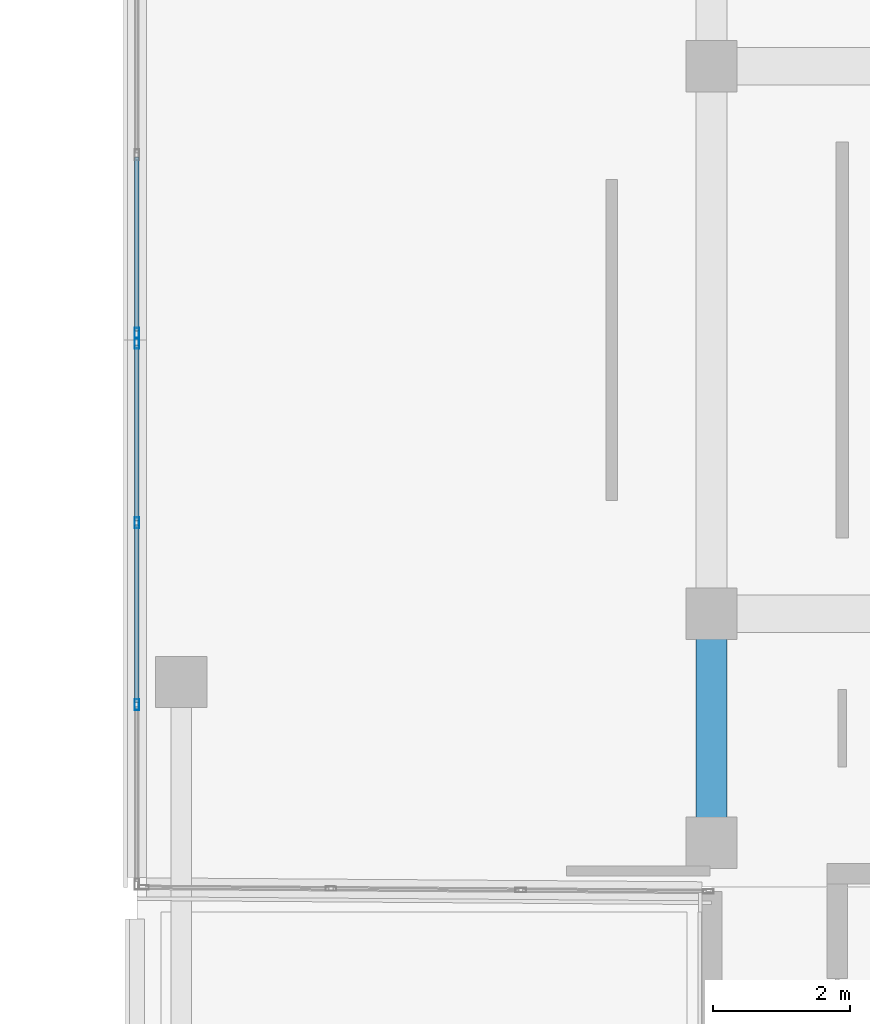
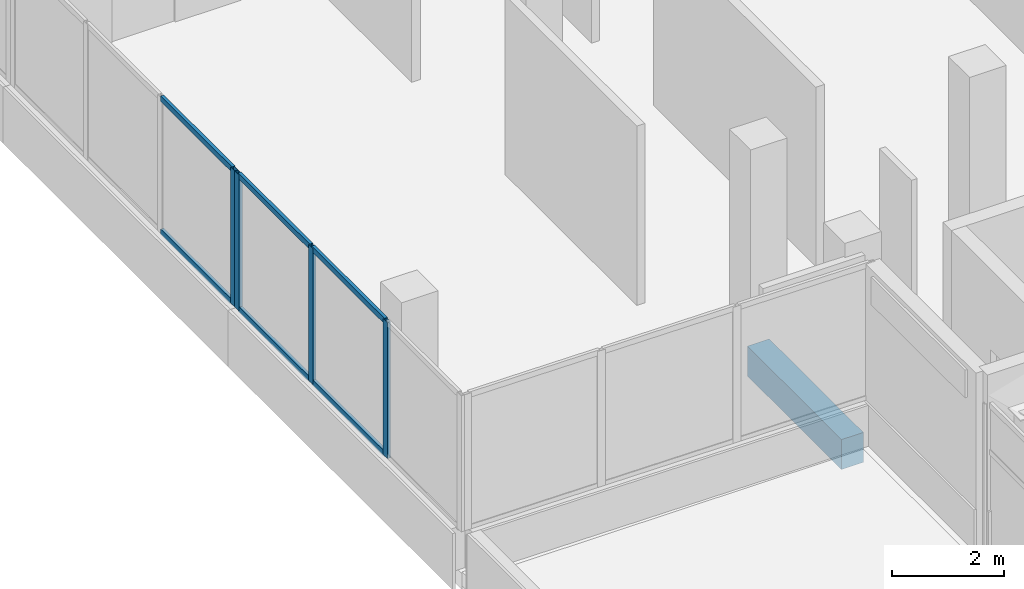
# One storey, part 80 of 184: 10 members, 1 beam, 2 elements without a shape of their own.
"""IFC4 building model written with IfcOpenShell, lengths in metres."""

from ifc_helpers import new_model, si_unit, direction, frame, origin, origin_2d, place, context, subcontext, project, spatial, rectangle, hollow_rectangle, extrude, material, material_profile, profile_set, type_object, element, aggregate, save


model = new_model("IFC4")

# Units and contexts
model_context = context("Model", 3, precision=1e-05, world=origin(), true_north=direction((0.0, 1.0)))
body_context = subcontext(model_context, "Body", "Model", "MODEL_VIEW")
ifc_project = project(units=[si_unit("LENGTHUNIT", "METRE"), si_unit("AREAUNIT", "SQUARE_METRE"), si_unit("VOLUMEUNIT", "CUBIC_METRE"), si_unit("PLANEANGLEUNIT", "RADIAN"), si_unit("MASSUNIT", "GRAM", prefix="KILO")], contexts=[model_context])

# Site, building, storey
site_placement = place(None, origin())
site = spatial("IfcSite", under=ifc_project, at=site_placement, CompositionType="ELEMENT")
building_placement = place(site_placement, origin())
building = spatial("IfcBuilding", under=site, at=building_placement, Name="Selatvlak General Hospital", CompositionType="ELEMENT")
storey_placement = place(building_placement, frame((0.0, 0.0, 15.0)))
storey = spatial("IfcBuildingStorey", under=building, at=storey_placement, Name="L03", CompositionType="ELEMENT", Elevation=15.0)

# Beam
ifc_material_1 = material(Name="Concrete C40/50", Category="concrete")
ifc_material_profile_1 = material_profile(ifc_material_1, rectangle(XDim=0.449951171875, YDim=0.64990234375, at=origin_2d()), Name="RC-BM 450x650")
ifc_profile_set_1 = profile_set([ifc_material_profile_1], Name="Concrete C40/50")
beam_type = type_object("IfcBeamType", Name="BM-G04", PredefinedType="BEAM", material=ifc_profile_set_1)
beam_placement = place(storey_placement, frame((22.800048828125, 88.64990234375, -0.6650390625), z_axis=(0.0, 1.0, 0.0), x_axis=(-1.0, 0.0, 0.0)))
element("IfcBeam", 1, at=beam_placement, inside=storey, type_object=beam_type, Name="Beam BMR-L03-1296", PredefinedType="BEAM", context=body_context, shape_type="SweptSolid", body=[
    extrude(rectangle(XDim=0.449951171875, YDim=0.64990234375, at=origin_2d()), origin(), (0.0, 0.0, 1.0), 3.35009765625),
])

# Curtain wall, members
ifc_material_2 = material(Name="Solar-control Low-E double glazing", Category="glass")
curtain_wall_type_1 = type_object("IfcCurtainWallType", Name="CW-CW-01", PredefinedType="USERDEFINED", material=ifc_material_2)
curtain_wall_1_placement = place(storey_placement, origin())
curtain_wall_1 = element("IfcCurtainWall", 2, at=curtain_wall_1_placement, inside=storey, type_object=curtain_wall_type_1, Name="Glazed facade curtain wall CW-L03-0360", ObjectType="UNITISED CURTAIN WALL", PredefinedType="USERDEFINED")
ifc_material_3 = material(Name="Dark anodised aluminium mullion", Category="aluminium")
ifc_material_profile_2 = material_profile(ifc_material_3, hollow_rectangle(XDim=0.06494140625, YDim=0.159912109375, WallThickness=0.00390625, at=origin_2d()), Name="AL-MUL 65x160x4")
ifc_profile_set_2 = profile_set([ifc_material_profile_2], Name="Dark anodised aluminium mullion")
member_type_1 = type_object("IfcMemberType", Name="CWM-01", PredefinedType="MULLION", material=ifc_profile_set_2)
member_1_placement = place(storey_placement, frame((14.39990234375, 90.671630859375, 0.93994140625), z_axis=(0.0, 0.0, 1.0), x_axis=(-1.0, 0.0, 0.0)))
member_1 = element("IfcMember", 3, at=member_1_placement, type_object=member_type_1, Name="CW-01 mullion 2", PredefinedType="MULLION", context=body_context, shape_type="SweptSolid", body=[
    extrude(hollow_rectangle(XDim=0.06494140625, YDim=0.159912109375, WallThickness=0.00390625, at=origin_2d()), origin(), (0.0, 0.0, 1.0), 2.955078125),
])
member_2_placement = place(storey_placement, frame((14.39990234375, 93.328369140625, 0.93994140625), z_axis=(0.0, 0.0, 1.0), x_axis=(-1.0, 0.0, 0.0)))
member_2 = element("IfcMember", 4, at=member_2_placement, type_object=member_type_1, Name="CW-01 mullion 3", PredefinedType="MULLION", context=body_context, shape_type="SweptSolid", body=[
    extrude(hollow_rectangle(XDim=0.06494140625, YDim=0.159912109375, WallThickness=0.00390625, at=origin_2d()), origin(), (0.0, 0.0, 1.0), 2.955078125),
])
member_3_placement = place(storey_placement, frame((14.39990234375, 95.952392578125, 0.93994140625), z_axis=(0.0, 0.0, 1.0), x_axis=(-1.0, 0.0, 0.0)))
member_3 = element("IfcMember", 5, at=member_3_placement, type_object=member_type_1, Name="CW-01 mullion 4", PredefinedType="MULLION", context=body_context, shape_type="SweptSolid", body=[
    extrude(hollow_rectangle(XDim=0.06494140625, YDim=0.159912109375, WallThickness=0.00390625, at=origin_2d()), origin(), (0.0, 0.0, 1.0), 2.955078125),
])

# Curtain wall, member
curtain_wall_type_2 = type_object("IfcCurtainWallType", Name="CW-CW-02", PredefinedType="USERDEFINED", material=ifc_material_2)
curtain_wall_2_placement = place(storey_placement, origin())
curtain_wall_2 = element("IfcCurtainWall", 6, at=curtain_wall_2_placement, inside=storey, type_object=curtain_wall_type_2, Name="Glazed facade curtain wall CW-L03-0361", ObjectType="UNITISED CURTAIN WALL", PredefinedType="USERDEFINED")
member_4_placement = place(storey_placement, frame((14.39990234375, 96.097412109375, 0.93994140625), z_axis=(0.0, 0.0, 1.0), x_axis=(-1.0, 0.0, 0.0)))
member_4 = element("IfcMember", 7, at=member_4_placement, type_object=member_type_1, Name="CW-02 mullion 1", PredefinedType="MULLION", context=body_context, shape_type="SweptSolid", body=[
    extrude(hollow_rectangle(XDim=0.06494140625, YDim=0.159912109375, WallThickness=0.00390625, at=origin_2d()), origin(), (0.0, 0.0, 1.0), 2.955078125),
])

# Member
ifc_material_profile_3 = material_profile(ifc_material_3, hollow_rectangle(XDim=0.06494140625, YDim=0.1201171875, WallThickness=0.00390625, at=origin_2d()), Name="AL-TRN 65x120x4")
ifc_profile_set_3 = profile_set([ifc_material_profile_3], Name="Dark anodised aluminium mullion")
member_type_2 = type_object("IfcMemberType", Name="CWT-01", PredefinedType="USERDEFINED", material=ifc_profile_set_3)
member_5_placement = place(storey_placement, frame((14.39990234375, 90.7041015625, 0.972412109375), z_axis=(0.0, 1.0, 0.0), x_axis=(-1.0, 0.0, 0.0)))
member_5 = element("IfcMember", 8, at=member_5_placement, type_object=member_type_2, Name="CW-01 transom 2.1", ObjectType="TRANSOM", PredefinedType="USERDEFINED", context=body_context, shape_type="SweptSolid", body=[
    extrude(hollow_rectangle(XDim=0.06494140625, YDim=0.1201171875, WallThickness=0.00390625, at=origin_2d()), origin(), (0.0, 0.0, 1.0), 2.591796875),
])

member_6_placement = place(storey_placement, frame((14.39990234375, 90.7041015625, 3.862548828125), z_axis=(0.0, 1.0, 0.0), x_axis=(-1.0, 0.0, 0.0)))
member_6 = element("IfcMember", 9, at=member_6_placement, type_object=member_type_2, Name="CW-01 transom 2.2", ObjectType="TRANSOM", PredefinedType="USERDEFINED", context=body_context, shape_type="SweptSolid", body=[
    extrude(hollow_rectangle(XDim=0.06494140625, YDim=0.1201171875, WallThickness=0.00390625, at=origin_2d()), origin(), (0.0, 0.0, 1.0), 2.591796875),
])

member_7_placement = place(storey_placement, frame((14.39990234375, 93.36083984375, 0.972412109375), z_axis=(0.0, 1.0, 0.0), x_axis=(-1.0, 0.0, 0.0)))
member_7 = element("IfcMember", 10, at=member_7_placement, type_object=member_type_2, Name="CW-01 transom 3.1", ObjectType="TRANSOM", PredefinedType="USERDEFINED", context=body_context, shape_type="SweptSolid", body=[
    extrude(hollow_rectangle(XDim=0.06494140625, YDim=0.1201171875, WallThickness=0.00390625, at=origin_2d()), origin(), (0.0, 0.0, 1.0), 2.55908203125),
])

member_8_placement = place(storey_placement, frame((14.39990234375, 93.36083984375, 3.862548828125), z_axis=(0.0, 1.0, 0.0), x_axis=(-1.0, 0.0, 0.0)))
member_8 = element("IfcMember", 11, at=member_8_placement, type_object=member_type_2, Name="CW-01 transom 3.2", ObjectType="TRANSOM", PredefinedType="USERDEFINED", context=body_context, shape_type="SweptSolid", body=[
    extrude(hollow_rectangle(XDim=0.06494140625, YDim=0.1201171875, WallThickness=0.00390625, at=origin_2d()), origin(), (0.0, 0.0, 1.0), 2.55908203125),
])

aggregate(curtain_wall_1, [member_1, member_2, member_3, member_5, member_6, member_7, member_8])

member_9_placement = place(storey_placement, frame((14.39990234375, 96.1298828125, 0.972412109375), z_axis=(0.0, 1.0, 0.0), x_axis=(-1.0, 0.0, 0.0)))
member_9 = element("IfcMember", 12, at=member_9_placement, type_object=member_type_2, Name="CW-02 transom 1.1", ObjectType="TRANSOM", PredefinedType="USERDEFINED", context=body_context, shape_type="SweptSolid", body=[
    extrude(hollow_rectangle(XDim=0.06494140625, YDim=0.1201171875, WallThickness=0.00390625, at=origin_2d()), origin(), (0.0, 0.0, 1.0), 2.542236328125),
])

member_10_placement = place(storey_placement, frame((14.39990234375, 96.1298828125, 3.862548828125), z_axis=(0.0, 1.0, 0.0), x_axis=(-1.0, 0.0, 0.0)))
member_10 = element("IfcMember", 13, at=member_10_placement, type_object=member_type_2, Name="CW-02 transom 1.2", ObjectType="TRANSOM", PredefinedType="USERDEFINED", context=body_context, shape_type="SweptSolid", body=[
    extrude(hollow_rectangle(XDim=0.06494140625, YDim=0.1201171875, WallThickness=0.00390625, at=origin_2d()), origin(), (0.0, 0.0, 1.0), 2.542236328125),
])

aggregate(curtain_wall_2, [member_4, member_9, member_10])

save(model, "model.ifc")
